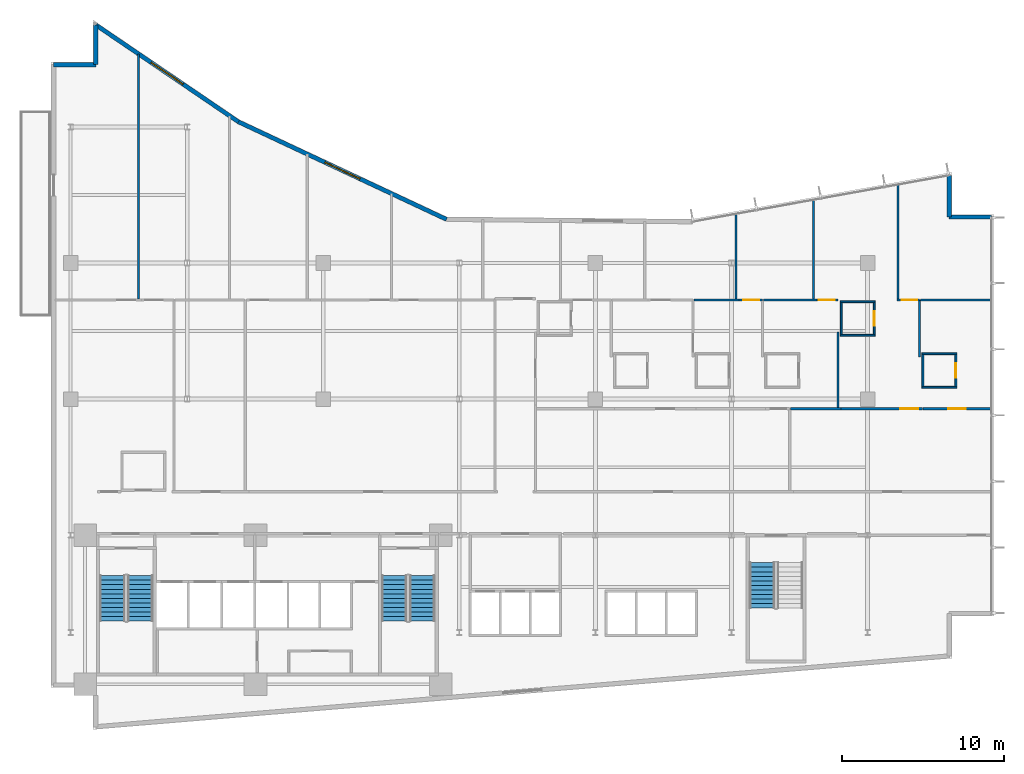
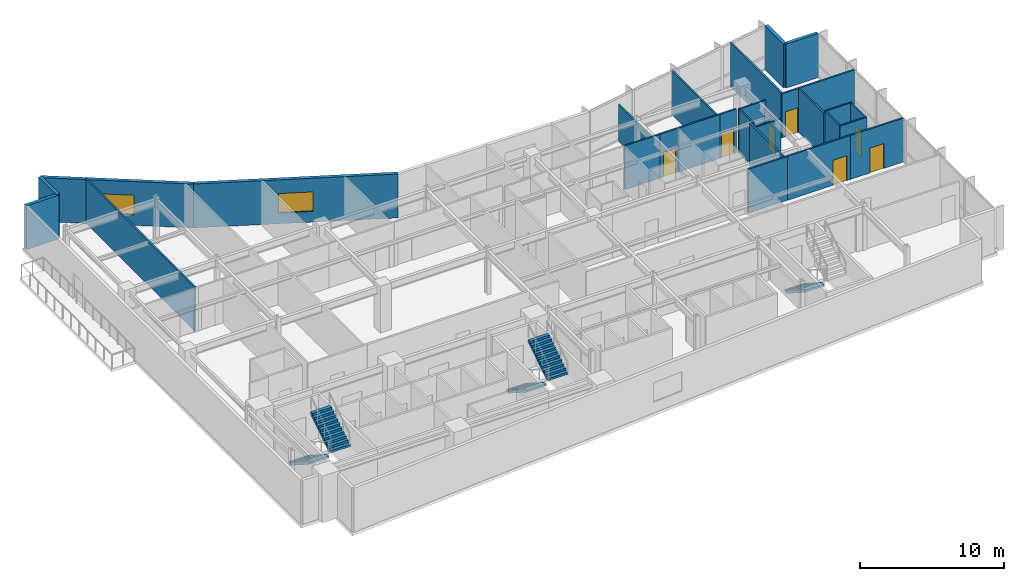
# One storey, part 16 of 22: 29 walls, 7 doors, 5 stair flights, 2 windows, 9 openings, 3 elements without a shape of their own.
"""IFC4 building model written with IfcOpenShell, lengths in metres."""

import ifcopenshell
import ifcopenshell.guid

model = None  # the IFC model being written
_history = None  # IfcOwnerHistory: only IFC2X3 demands one
_inside = {}  # id of a spatial element -> (the spatial element, [elements in it])
_under = {}  # id of a project, library or spatial element -> (it, [spatial elements below it])
_declared = {}  # id of a project -> (the project, [libraries it declares])
_typed = {}  # id of a type object -> (the type object, [elements of that type])
_made_of = {}  # id of a material, layer set ... -> (it, [elements and type objects made of it])


def new_model(schema):
    """Start an empty IFC model of exactly this schema.

    Asked for "IFC4X3", IfcOpenShell would pick the latest addendum, in which some entities
    have other attributes; the version numbers below select the first issue.
    IFC2X3 requires an IfcOwnerHistory on every rooted entity: one is made here for all.
    """
    global model, _history
    if schema == "IFC4X3":
        model = ifcopenshell.file(schema_version=(4, 3, 0, 0))
    else:
        model = ifcopenshell.file(schema=schema)
    _inside.clear()
    _under.clear()
    _declared.clear()
    _typed.clear()
    _made_of.clear()
    _history = None
    if model.schema == "IFC2X3":
        org = make("IfcOrganization", Name="unknown")
        user = make(
            "IfcPersonAndOrganization",
            ThePerson=make("IfcPerson", FamilyName="unknown"),
            TheOrganization=org,
        )
        app = make(
            "IfcApplication",
            ApplicationDeveloper=org,
            Version="unknown",
            ApplicationFullName="unknown",
            ApplicationIdentifier="unknown",
        )
        _history = make(
            "IfcOwnerHistory",
            OwningUser=user,
            OwningApplication=app,
            ChangeAction="ADDED",
            CreationDate=0,
        )
    return model


def make(cls, **values):
    """One entity of the class cls with the attributes given. An attribute that is None is left unset."""
    return model.create_entity(
        cls, **{name: value for name, value in values.items() if value is not None}
    )


def rooted(cls, **values):
    """An entity with a GlobalId (a new one), such as an element, a storey or a relation."""
    return make(cls, GlobalId=ifcopenshell.guid.new(), OwnerHistory=_history, **values)


def si_unit(unit_type, name, prefix=None):
    """IfcSIUnit, for example si_unit("LENGTHUNIT", "METRE", prefix="MILLI")."""
    return make("IfcSIUnit", UnitType=unit_type, Prefix=prefix, Name=name)


def assignment(units):
    """IfcUnitAssignment: the units of a project."""
    return None if units is None else make("IfcUnitAssignment", Units=units)


def point(xyz):
    """IfcCartesianPoint."""
    return None if xyz is None else make("IfcCartesianPoint", Coordinates=xyz)


def direction(xyz):
    """IfcDirection."""
    return None if xyz is None else make("IfcDirection", DirectionRatios=xyz)


def frame(location, z_axis=None, x_axis=None):
    """IfcAxis2Placement3D, a coordinate frame: its origin and axes. An axis left out is left unset."""
    return make(
        "IfcAxis2Placement3D",
        Location=point(location),
        Axis=direction(z_axis),
        RefDirection=direction(x_axis),
    )


def frame_2d(location, x_axis=None):
    """IfcAxis2Placement2D, a coordinate frame in the plane: its origin and x axis."""
    return make(
        "IfcAxis2Placement2D", Location=point(location), RefDirection=direction(x_axis)
    )


def origin():
    """The frame at (0, 0, 0) with its axes left unset."""
    return frame((0.0, 0.0, 0.0))


def place(relative_to, where):
    """IfcLocalPlacement: puts the frame where relative to a parent placement (None: the world)."""
    return make(
        "IfcLocalPlacement", PlacementRelTo=relative_to, RelativePlacement=where
    )


def context(
    kind, dimensions, precision=None, world=None, true_north=None, identifier=None
):
    """IfcGeometricRepresentationContext, for example the 3D "Model" context."""
    return make(
        "IfcGeometricRepresentationContext",
        ContextIdentifier=identifier,
        ContextType=kind,
        CoordinateSpaceDimension=dimensions,
        Precision=precision,
        WorldCoordinateSystem=world,
        TrueNorth=true_north,
    )


def subcontext(parent, identifier, kind, view, scale=None):
    """IfcGeometricRepresentationSubContext, for example "Body" below "Model"."""
    return make(
        "IfcGeometricRepresentationSubContext",
        ContextIdentifier=identifier,
        ContextType=kind,
        ParentContext=parent,
        TargetScale=scale,
        TargetView=view,
    )


def project(units=None, contexts=None):
    """IfcProject with its units and contexts."""
    return rooted(
        "IfcProject",
        Name="project",
        RepresentationContexts=contexts,
        UnitsInContext=assignment(units),
    )


def spatial(cls, under=None, at=None, **own):
    """A site, building, storey or space (cls), placed at a placement, below another one or the project."""
    s = rooted(cls, ObjectPlacement=at, **own)
    if under is not None:
        _under.setdefault(under.id(), (under, []))[1].append(s)
    return s


def polyline(points):
    """IfcPolyline through the points."""
    return make("IfcPolyline", Points=[point(p) for p in points])


def profile(cls, at=None, kind="AREA", **sizes):
    """A parametric profile (cls). Its sizes go by their IFC names, for example OverallWidth=200.0."""
    return make(cls, ProfileType=kind, Position=at, **sizes)


def rectangle(**sizes):
    """IfcRectangleProfileDef."""
    return profile("IfcRectangleProfileDef", **sizes)


def outline(outer, holes=None, kind="AREA"):
    """IfcArbitraryClosedProfileDef: a profile drawn as a closed curve; with holes, ...WithVoids."""
    if holes is None:
        return make("IfcArbitraryClosedProfileDef", ProfileType=kind, OuterCurve=outer)
    return make(
        "IfcArbitraryProfileDefWithVoids",
        ProfileType=kind,
        OuterCurve=outer,
        InnerCurves=holes,
    )


def extrude(swept, where, along, depth):
    """IfcExtrudedAreaSolid: the profile swept, set in the frame where, extruded along a direction by depth."""
    return make(
        "IfcExtrudedAreaSolid",
        SweptArea=swept,
        Position=where,
        ExtrudedDirection=direction(along),
        Depth=depth,
    )


def shape(context_of_items, identifier, shape_type, items):
    """IfcShapeRepresentation: the items that make up one representation, for example the "Body"."""
    return make(
        "IfcShapeRepresentation",
        ContextOfItems=context_of_items,
        RepresentationIdentifier=identifier,
        RepresentationType=shape_type,
        Items=items,
    )


def material(Name=None, Category=None):
    """IfcMaterial."""
    return make("IfcMaterial", Name=Name, Category=Category)


def layer(
    of_material, thickness, ventilated=None, Name=None, Category=None, Priority=None
):
    """IfcMaterialLayer: one layer of a wall or slab, of a material (None: an air gap)."""
    return make(
        "IfcMaterialLayer",
        Material=of_material,
        LayerThickness=thickness,
        IsVentilated=ventilated,
        Name=Name,
        Category=Category,
        Priority=Priority,
    )


def layer_set(layers, Name=None):
    """IfcMaterialLayerSet."""
    return make("IfcMaterialLayerSet", MaterialLayers=layers, LayerSetName=Name)


def made_of(thing, what):
    """Note that an element or type object is made of a material, layer set ...; save() writes the relation."""
    if what is not None:
        _made_of.setdefault(what.id(), (what, []))[1].append(thing)
    return thing


def type_object(cls, material=None, **own):
    """A type object (cls), such as IfcWallType, which elements share."""
    return made_of(rooted(cls, **own), material)


def element(
    cls,
    number,
    at=None,
    inside=None,
    cuts=None,
    type_object=None,
    material=None,
    context=None,
    identifier="Body",
    shape_type=None,
    held_by="IfcProductDefinitionShape",
    body=None,
    shapes=None,
    **own,
):
    """One element of the class cls, such as IfcWall. Its Tag is "e" and its number.

    at: its placement. inside: the storey or other place that contains it. cuts: it is an
    opening in that element (IfcRelVoidsElement). A single representation is given by context,
    identifier, shape_type and body (its items); several are given by shapes. held_by: the class
    of the entity that holds the representations. save() writes the other relations.
    """
    e = rooted(cls, Tag="e%d" % number, ObjectPlacement=at, **own)
    if body is not None:
        shapes = [shape(context, identifier, shape_type, body)]
    if shapes is not None:
        e.Representation = make(held_by, Representations=shapes)
    if inside is not None:
        _inside.setdefault(inside.id(), (inside, []))[1].append(e)
    if cuts is not None:
        rooted(
            "IfcRelVoidsElement", RelatingBuildingElement=cuts, RelatedOpeningElement=e
        )
    if type_object is not None:
        _typed.setdefault(type_object.id(), (type_object, []))[1].append(e)
    return made_of(e, material)


def fill(opening, filler):
    """IfcRelFillsElement: the door or window that sits in an opening."""
    return rooted(
        "IfcRelFillsElement",
        RelatingOpeningElement=opening,
        RelatedBuildingElement=filler,
    )


def aggregate(whole, parts):
    """IfcRelAggregates: a whole, such as a stair, and the parts it consists of."""
    return rooted("IfcRelAggregates", RelatingObject=whole, RelatedObjects=parts)


def save(model, path):
    """Write the relations noted so far, then the file.

    IfcRelAggregates (storeys below a building ...), IfcRelContainedInSpatialStructure (elements
    in a storey), IfcRelDefinesByType, IfcRelAssociatesMaterial and IfcRelDeclares: one each for
    every whole, place, type object, material and project.
    """
    for whole, parts in _under.values():
        aggregate(whole, parts)
    for where, things in _inside.values():
        rooted(
            "IfcRelContainedInSpatialStructure",
            RelatedElements=things,
            RelatingStructure=where,
        )
    for kind, things in _typed.values():
        rooted("IfcRelDefinesByType", RelatedObjects=things, RelatingType=kind)
    for what, things in _made_of.values():
        rooted("IfcRelAssociatesMaterial", RelatedObjects=things, RelatingMaterial=what)
    for by, libraries in _declared.values():
        rooted("IfcRelDeclares", RelatingContext=by, RelatedDefinitions=libraries)
    model.write(path)


model = new_model("IFC4")

# Units and contexts
model_context = context("Model", 3, precision=1e-05, world=origin(), true_north=direction((0.0, 1.0)))
body_context = subcontext(model_context, "Body", "Model", "MODEL_VIEW")
ifc_project = project(units=[si_unit("LENGTHUNIT", "METRE"), si_unit("AREAUNIT", "SQUARE_METRE"), si_unit("VOLUMEUNIT", "CUBIC_METRE"), si_unit("PLANEANGLEUNIT", "RADIAN"), si_unit("MASSUNIT", "GRAM", prefix="KILO")], contexts=[model_context])

# Site, building, storey
site_placement = place(None, origin())
site = spatial("IfcSite", under=ifc_project, at=site_placement, CompositionType="ELEMENT")
building_placement = place(site_placement, origin())
building = spatial("IfcBuilding", under=site, at=building_placement, Name="Varnakote Quay Hospital", CompositionType="ELEMENT")
storey_placement = place(building_placement, frame((0.0, 0.0, 62.0)))
storey = spatial("IfcBuildingStorey", under=building, at=storey_placement, Name="L15", CompositionType="ELEMENT", Elevation=62.0)

# Walls
ifc_material_1 = material(Name="Moisture-resistant bathroom partition", Category="gypsum")
ifc_layer_1 = layer(ifc_material_1, 0.114990234375)
ifc_layer_set_1 = layer_set([ifc_layer_1], Name="Moisture-resistant bathroom partition")
wall_type_1 = type_object("IfcWallType", Name="WL-ENS-115", PredefinedType="PARTITIONING", material=ifc_layer_set_1)
wall_1_placement = place(storey_placement, frame((48.715087890625, 24.342529296875, 0.0), z_axis=(0.0, 0.0, 1.0), x_axis=(1.0, 0.0, 0.0)))
element("IfcWall", 1, at=wall_1_placement, inside=storey, type_object=wall_type_1, Name="L15 Inpatient En-Suite Bathroom 05 S Wall", PredefinedType="PARTITIONING", context=body_context, shape_type="SweptSolid", body=[
    extrude(rectangle(XDim=2.14990234375, YDim=0.114990234375, at=frame_2d((1.074951171875, 0.0))), origin(), (0.0, 0.0, 1.0), 3.381103515625),
])
wall_2_placement = place(storey_placement, frame((48.715087890625, 26.407470703125, 0.0), z_axis=(0.0, 0.0, 1.0), x_axis=(1.0, 0.0, 0.0)))
element("IfcWall", 2, at=wall_2_placement, inside=storey, type_object=wall_type_1, Name="L15 Inpatient En-Suite Bathroom 05 N Wall", PredefinedType="PARTITIONING", context=body_context, shape_type="SweptSolid", body=[
    extrude(rectangle(XDim=2.14990234375, YDim=0.114990234375, at=frame_2d((1.074951171875, 0.0))), origin(), (0.0, 0.0, 1.0), 3.7099609375),
])
wall_3_placement = place(storey_placement, frame((48.7724609375, 24.39990234375, 0.0), z_axis=(0.0, 0.0, 1.0), x_axis=(0.0, 1.0, 0.0)))
element("IfcWall", 3, at=wall_3_placement, inside=storey, type_object=wall_type_1, Name="L15 Inpatient En-Suite Bathroom 05 W Wall", PredefinedType="PARTITIONING", context=body_context, shape_type="SweptSolid", body=[
    extrude(rectangle(XDim=1.9501953125, YDim=0.114990234375, at=frame_2d((0.97509765625, 0.0))), origin(), (0.0, 0.0, 1.0), 3.7099609375),
])

# Wall, opening, door
wall_4_placement = place(storey_placement, frame((50.8076171875, 24.39990234375, 0.0), z_axis=(0.0, 0.0, 1.0), x_axis=(0.0, 1.0, 0.0)))
wall_4 = element("IfcWall", 4, at=wall_4_placement, inside=storey, type_object=wall_type_1, Name="L15 Inpatient En-Suite Bathroom 05 E Wall", PredefinedType="PARTITIONING", context=body_context, shape_type="SweptSolid", body=[
    extrude(rectangle(XDim=1.9501953125, YDim=0.114990234375, at=frame_2d((0.97509765625, 0.0))), origin(), (0.0, 0.0, 1.0), 3.072998046875),
])
opening_1_placement = place(wall_4_placement, frame((0.514892578125, 0.0, 0.0)))
opening_1 = element("IfcOpeningElement", 5, at=opening_1_placement, cuts=wall_4, Name="Opening D-L15-ENS05", PredefinedType="OPENING", context=body_context, shape_type="SweptSolid", body=[
    extrude(rectangle(XDim=0.919921875, YDim=2.10009765625, at=frame_2d((0.4599609375, 1.050048828125))), frame((0.0, 0.0673828125, 0.0), z_axis=(0.0, -1.0, 0.0), x_axis=(1.0, 0.0, 0.0)), (0.0, 0.0, 1.0), 0.135009765625),
])
ifc_material_2 = material(Name="Moisture-sealed en-suite bathroom door")
door_type_1 = type_object("IfcDoorType", Name="DR-ENS-920x2100", OperationType="NOTDEFINED", PredefinedType="DOOR", material=ifc_material_2)
door_1_placement = place(opening_1_placement, origin())
door_1 = element("IfcDoor", 6, at=door_1_placement, inside=storey, type_object=door_type_1, Name="L15 Inpatient En-Suite Bathroom 05 Door", OperationType="SINGLE_SWING_LEFT", OverallHeight=2.10009765625, OverallWidth=0.919921875, PredefinedType="DOOR", context=body_context, shape_type="SweptSolid", body=[
    extrude(rectangle(XDim=0.919921875, YDim=2.10009765625, at=frame_2d((0.4599609375, 1.050048828125))), frame((0.0, 0.02490234375, 0.0), z_axis=(0.0, -1.0, 0.0), x_axis=(1.0, 0.0, 0.0)), (0.0, 0.0, 1.0), 0.050048828125),
])
fill(opening_1, door_1)

# Walls
for number, where, z_axis, x_axis, name in (
    (7, (53.7548828125, 21.132568359375, 0.0), (0.0, 0.0, 1.0), (1.0, 0.0, 0.0), "L15 Inpatient En-Suite Bathroom 06 S Wall"),
    (8, (53.7548828125, 23.197509765625, 0.0), (0.0, 0.0, 1.0), (1.0, 0.0, 0.0), "L15 Inpatient En-Suite Bathroom 06 N Wall"),
):
    element("IfcWall", number, at=place(storey_placement, frame(where, z_axis=z_axis, x_axis=x_axis)), inside=storey, type_object=wall_type_1, Name=name, PredefinedType="PARTITIONING", context=body_context, shape_type="SweptSolid", body=[
        extrude(rectangle(XDim=2.150146484375, YDim=0.114990234375, at=frame_2d((1.0751953125, 0.0))), origin(), (0.0, 0.0, 1.0), 3.7099609375),
    ])
wall_5_placement = place(storey_placement, frame((53.8125, 21.18994140625, 0.0), z_axis=(0.0, 0.0, 1.0), x_axis=(0.0, 1.0, 0.0)))
element("IfcWall", 9, at=wall_5_placement, inside=storey, type_object=wall_type_1, Name="L15 Inpatient En-Suite Bathroom 06 W Wall", PredefinedType="PARTITIONING", context=body_context, shape_type="SweptSolid", body=[
    extrude(rectangle(XDim=1.949951171875, YDim=0.114990234375, at=frame_2d((0.97509765625, 0.0))), origin(), (0.0, 0.0, 1.0), 3.7099609375),
])

# Wall, opening, door
wall_6_placement = place(storey_placement, frame((55.847412109375, 21.18994140625, 0.0), z_axis=(0.0, 0.0, 1.0), x_axis=(0.0, 1.0, 0.0)))
wall_6 = element("IfcWall", 10, at=wall_6_placement, inside=storey, type_object=wall_type_1, Name="L15 Inpatient En-Suite Bathroom 06 E Wall", PredefinedType="PARTITIONING", context=body_context, shape_type="SweptSolid", body=[
    extrude(rectangle(XDim=1.949951171875, YDim=0.114990234375, at=frame_2d((0.97509765625, 0.0))), origin(), (0.0, 0.0, 1.0), 3.7099609375),
])
opening_2_placement = place(wall_6_placement, frame((0.514892578125, 0.0, 0.0)))
opening_2 = element("IfcOpeningElement", 11, at=opening_2_placement, cuts=wall_6, Name="Opening D-L15-ENS06", PredefinedType="OPENING", context=body_context, shape_type="SweptSolid", body=[
    extrude(rectangle(XDim=0.919921875, YDim=2.10009765625, at=frame_2d((0.4599609375, 1.050048828125))), frame((0.0, 0.0673828125, 0.0), z_axis=(0.0, -1.0, 0.0), x_axis=(1.0, 0.0, 0.0)), (0.0, 0.0, 1.0), 0.135009765625),
])
door_2_placement = place(opening_2_placement, origin())
door_2 = element("IfcDoor", 12, at=door_2_placement, inside=storey, type_object=door_type_1, Name="L15 Inpatient En-Suite Bathroom 06 Door", OperationType="SINGLE_SWING_RIGHT", OverallHeight=2.10009765625, OverallWidth=0.919921875, PredefinedType="DOOR", context=body_context, shape_type="SweptSolid", body=[
    extrude(rectangle(XDim=0.919921875, YDim=2.10009765625, at=frame_2d((0.4599609375, 1.050048828125))), frame((0.0, 0.02490234375, 0.0), z_axis=(0.0, -1.0, 0.0), x_axis=(1.0, 0.0, 0.0)), (0.0, 0.0, 1.0), 0.050048828125),
])
fill(opening_2, door_2)

# Walls
ifc_material_3 = material(Name="Precast concrete N50 (f'c 50 MPa)", Category="concrete")
ifc_layer_2 = layer(ifc_material_3, 0.260009765625)
ifc_layer_set_2 = layer_set([ifc_layer_2], Name="Precast concrete N50 (f'c 50 MPa)")
wall_type_2 = type_object("IfcWallType", Name="WL-EXT-BRICK-260", PredefinedType="STANDARD", material=ifc_layer_set_2)
wall_7_placement = place(storey_placement, frame((58.0400390625, 31.639892578125, 0.0), z_axis=(0.0, 0.0, 1.0), x_axis=(-1.0, 0.0, 0.0)))
element("IfcWall", 13, at=wall_7_placement, inside=storey, type_object=wall_type_2, Name="L15 Brick-Faced Precast Exterior Wall", PredefinedType="STANDARD", context=body_context, shape_type="SweptSolid", body=[
    extrude(rectangle(XDim=2.60009765625, YDim=0.260009765625, at=frame_2d((1.300048828125, 0.0))), origin(), (0.0, 0.0, 1.0), 3.7099609375),
])
wall_8_placement = place(storey_placement, frame((55.43994140625, 31.639892578125, 0.0), z_axis=(0.0, 0.0, 1.0), x_axis=(0.0, 1.0, 0.0)))
element("IfcWall", 14, at=wall_8_placement, inside=storey, type_object=wall_type_2, Name="L15 Brick-Faced Precast Exterior Wall", PredefinedType="STANDARD", context=body_context, shape_type="SweptSolid", body=[
    extrude(rectangle(XDim=2.568603515625, YDim=0.260009765625, at=frame_2d((1.2841796875, 0.0))), origin(), (0.0, 0.0, 1.0), 3.7099609375),
])

# Wall, opening, window
wall_9_placement = place(storey_placement, frame((24.40771484375, 31.4921875, 0.0), z_axis=(0.0, 0.0, 1.0), x_axis=(-0.905396522918, 0.424566998585, 0.0)))
wall_9 = element("IfcWall", 15, at=wall_9_placement, inside=storey, type_object=wall_type_2, Name="L15 Brick-Faced Precast Exterior Wall", PredefinedType="STANDARD", context=body_context, shape_type="SweptSolid", body=[
    extrude(rectangle(XDim=14.189453125, YDim=0.260009765625, at=frame_2d((7.0947265625, 0.0))), origin(), (0.0, 0.0, 1.0), 3.7099609375),
])
opening_3_placement = place(wall_9_placement, frame((5.894775390625, 0.0, 0.89990234375)))
opening_3 = element("IfcOpeningElement", 16, at=opening_3_placement, cuts=wall_9, Name="Opening WN-0076", PredefinedType="OPENING", context=body_context, shape_type="SweptSolid", body=[
    extrude(rectangle(XDim=2.39990234375, YDim=1.64990234375, at=frame_2d((1.199951171875, 0.824951171875))), frame((0.0, 0.139892578125, 0.0), z_axis=(0.0, -1.0, 0.0), x_axis=(1.0, 0.0, 0.0)), (0.0, 0.0, 1.0), 0.280029296875),
])
ifc_material_4 = material(Name="Double-glazed low-E solar glass", Category="glass")
window_type = type_object("IfcWindowType", Name="WIN-CLIN-2400x1650", PartitioningType="SINGLE_PANEL", PredefinedType="WINDOW", material=ifc_material_4)
window_1_placement = place(opening_3_placement, origin())
window_1 = element("IfcWindow", 17, at=window_1_placement, inside=storey, type_object=window_type, Name="L15 Solar-Control Clinical Window", OverallHeight=1.64990234375, OverallWidth=2.39990234375, PartitioningType="SINGLE_PANEL", PredefinedType="WINDOW", context=body_context, shape_type="SweptSolid", body=[
    extrude(rectangle(XDim=2.39990234375, YDim=1.64990234375, at=frame_2d((1.199951171875, 0.824951171875))), frame((0.0, 0.030029296875, 0.0), z_axis=(0.0, -1.0, 0.0), x_axis=(1.0, 0.0, 0.0)), (0.0, 0.0, 1.0), 0.06005859375),
])
fill(opening_3, window_1)

wall_10_placement = place(storey_placement, frame((11.560546875, 37.5166015625, 0.0), z_axis=(0.0, 0.0, 1.0), x_axis=(-0.827064743936, 0.562106670782, 0.0)))
wall_10 = element("IfcWall", 18, at=wall_10_placement, inside=storey, type_object=wall_type_2, Name="L15 Brick-Faced Precast Exterior Wall", PredefinedType="STANDARD", context=body_context, shape_type="SweptSolid", body=[
    extrude(rectangle(XDim=10.640625, YDim=0.260009765625, at=frame_2d((5.3203125, 0.0))), origin(), (0.0, 0.0, 1.0), 3.7099609375),
])
opening_4_placement = place(wall_10_placement, frame((4.120361328125, 0.0, 0.89990234375)))
opening_4 = element("IfcOpeningElement", 19, at=opening_4_placement, cuts=wall_10, Name="Opening WN-0077", PredefinedType="OPENING", context=body_context, shape_type="SweptSolid", body=[
    extrude(rectangle(XDim=2.39990234375, YDim=1.64990234375, at=frame_2d((1.199951171875, 0.824951171875))), frame((0.0, 0.139892578125, 0.0), z_axis=(0.0, -1.0, 0.0), x_axis=(1.0, 0.0, 0.0)), (0.0, 0.0, 1.0), 0.280029296875),
])
window_2_placement = place(opening_4_placement, origin())
window_2 = element("IfcWindow", 20, at=window_2_placement, inside=storey, type_object=window_type, Name="L15 Solar-Control Clinical Window", OverallHeight=1.64990234375, OverallWidth=2.39990234375, PartitioningType="SINGLE_PANEL", PredefinedType="WINDOW", context=body_context, shape_type="SweptSolid", body=[
    extrude(rectangle(XDim=2.39990234375, YDim=1.64990234375, at=frame_2d((1.199951171875, 0.824951171875))), frame((0.0, 0.030029296875, 0.0), z_axis=(0.0, -1.0, 0.0), x_axis=(1.0, 0.0, 0.0)), (0.0, 0.0, 1.0), 0.06005859375),
])
fill(opening_4, window_2)

# Walls
wall_11_placement = place(storey_placement, frame((2.760009765625, 43.497802734375, 0.0), z_axis=(0.0, 0.0, 1.0), x_axis=(0.0, -1.0, 0.0)))
element("IfcWall", 21, at=wall_11_placement, inside=storey, type_object=wall_type_2, Name="L15 Brick-Faced Precast Exterior Wall", PredefinedType="STANDARD", context=body_context, shape_type="SweptSolid", body=[
    extrude(rectangle(XDim=2.457763671875, YDim=0.260009765625, at=frame_2d((1.22900390625, 0.0))), origin(), (0.0, 0.0, 1.0), 3.7099609375),
])
wall_12_placement = place(storey_placement, frame((2.760009765625, 41.0400390625, 0.0), z_axis=(0.0, 0.0, 1.0), x_axis=(-1.0, 0.0, 0.0)))
element("IfcWall", 22, at=wall_12_placement, inside=storey, type_object=wall_type_2, Name="L15 Brick-Faced Precast Exterior Wall", PredefinedType="STANDARD", context=body_context, shape_type="SweptSolid", body=[
    extrude(rectangle(XDim=2.60009765625, YDim=0.260009765625, at=frame_2d((1.300048828125, 0.0))), origin(), (0.0, 0.0, 1.0), 3.7099609375),
])
ifc_material_5 = material(Name="Smoke-proof clinical partition", Category="gypsum")
ifc_layer_3 = layer(ifc_material_5, 0.135009765625)
ifc_layer_set_3 = layer_set([ifc_layer_3], Name="Smoke-proof clinical partition")
wall_type_3 = type_object("IfcWallType", Name="WL-SMOKE-135", PredefinedType="PARTITIONING", material=ifc_layer_set_3)
wall_13_placement = place(storey_placement, frame((48.7646484375, 19.800048828125, 0.0), z_axis=(0.0, 0.0, 1.0), x_axis=(-1.0, 0.0, 0.0)))
element("IfcWall", 23, at=wall_13_placement, inside=storey, type_object=wall_type_3, Name="L15 Clinical Interior Partition", PredefinedType="PARTITIONING", context=body_context, shape_type="SweptSolid", body=[
    extrude(rectangle(XDim=3.1171875, YDim=0.135009765625, at=frame_2d((1.55859375, 0.0))), origin(), (0.0, 0.0, 1.0), 3.7099609375),
])

# Wall, opening, door
wall_14_placement = place(storey_placement, frame((53.8046875, 19.800048828125, 0.0), z_axis=(0.0, 0.0, 1.0), x_axis=(-1.0, 0.0, 0.0)))
wall_14 = element("IfcWall", 24, at=wall_14_placement, inside=storey, type_object=wall_type_3, Name="L15 Clinical Interior Partition", PredefinedType="PARTITIONING", context=body_context, shape_type="SweptSolid", body=[
    extrude(rectangle(XDim=5.0380859375, YDim=0.135009765625, at=frame_2d((2.51904296875, 0.0))), origin(), (0.0, 0.0, 1.0), 3.7099609375),
])
opening_5_placement = place(wall_14_placement, frame((0.28857421875, 0.0, 0.0)))
opening_5 = element("IfcOpeningElement", 25, at=opening_5_placement, cuts=wall_14, Name="Opening D-L15-BR05", PredefinedType="OPENING", context=body_context, shape_type="SweptSolid", body=[
    extrude(rectangle(XDim=1.10009765625, YDim=2.10009765625, at=frame_2d((0.550048828125, 1.050048828125))), frame((0.0, 0.077392578125, 0.0), z_axis=(0.0, -1.0, 0.0), x_axis=(1.0, 0.0, 0.0)), (0.0, 0.0, 1.0), 0.155029296875),
])
ifc_material_6 = material(Name="Acoustic timber clinical consult door", Category="wood")
door_type_2 = type_object("IfcDoorType", Name="DR-CLIN-FD30S-1100x2100", OperationType="NOTDEFINED", PredefinedType="DOOR", material=ifc_material_6)
door_3_placement = place(opening_5_placement, origin())
door_3 = element("IfcDoor", 26, at=door_3_placement, inside=storey, type_object=door_type_2, Name="L15 Inpatient Clinical Treatment Room 05 Door", OperationType="SINGLE_SWING_RIGHT", OverallHeight=2.10009765625, OverallWidth=1.10009765625, PredefinedType="DOOR", context=body_context, shape_type="SweptSolid", body=[
    extrude(rectangle(XDim=1.10009765625, YDim=2.10009765625, at=frame_2d((0.550048828125, 1.050048828125))), frame((0.0, 0.02490234375, 0.0), z_axis=(0.0, -1.0, 0.0), x_axis=(1.0, 0.0, 0.0)), (0.0, 0.0, 1.0), 0.050048828125),
])
fill(opening_5, door_3)

wall_15_placement = place(storey_placement, frame((58.0400390625, 19.800048828125, 0.0), z_axis=(0.0, 0.0, 1.0), x_axis=(-1.0, 0.0, 0.0)))
wall_15 = element("IfcWall", 27, at=wall_15_placement, inside=storey, type_object=wall_type_3, Name="L15 Clinical Interior Partition", PredefinedType="PARTITIONING", context=body_context, shape_type="SweptSolid", body=[
    extrude(rectangle(XDim=4.2333984375, YDim=0.135009765625, at=frame_2d((2.11669921875, 0.0))), origin(), (0.0, 0.0, 1.0), 3.7099609375),
])
opening_6_placement = place(wall_15_placement, frame((1.566650390625, 0.0, 0.0)))
opening_6 = element("IfcOpeningElement", 28, at=opening_6_placement, cuts=wall_15, Name="Opening D-L15-BR06", PredefinedType="OPENING", context=body_context, shape_type="SweptSolid", body=[
    extrude(rectangle(XDim=1.10009765625, YDim=2.10009765625, at=frame_2d((0.550048828125, 1.050048828125))), frame((0.0, 0.077392578125, 0.0), z_axis=(0.0, -1.0, 0.0), x_axis=(1.0, 0.0, 0.0)), (0.0, 0.0, 1.0), 0.155029296875),
])
door_4_placement = place(opening_6_placement, origin())
door_4 = element("IfcDoor", 29, at=door_4_placement, inside=storey, type_object=door_type_2, Name="L15 Inpatient Clinical Treatment Room 06 Door", OperationType="SINGLE_SWING_LEFT", OverallHeight=2.10009765625, OverallWidth=1.10009765625, PredefinedType="DOOR", context=body_context, shape_type="SweptSolid", body=[
    extrude(rectangle(XDim=1.10009765625, YDim=2.10009765625, at=frame_2d((0.550048828125, 1.050048828125))), frame((0.0, 0.02490234375, 0.0), z_axis=(0.0, -1.0, 0.0), x_axis=(1.0, 0.0, 0.0)), (0.0, 0.0, 1.0), 0.050048828125),
])
fill(opening_6, door_4)

# Wall
wall_16_placement = place(storey_placement, frame((42.474609375, 26.52001953125, 0.0), z_axis=(0.0, 0.0, 1.0), x_axis=(-1.0, 0.0, 0.0)))
element("IfcWall", 30, at=wall_16_placement, inside=storey, type_object=wall_type_3, Name="L15 Clinical Interior Partition", PredefinedType="PARTITIONING", context=body_context, shape_type="SweptSolid", body=[
    extrude(rectangle(XDim=2.797119140625, YDim=0.135009765625, at=frame_2d((1.3984375, 0.0))), origin(), (0.0, 0.0, 1.0), 3.7099609375),
])

# Wall, opening, door
wall_17_placement = place(storey_placement, frame((43.909912109375, 26.52001953125, 0.0), z_axis=(0.0, 0.0, 1.0), x_axis=(-1.0, 0.0, 0.0)))
wall_17 = element("IfcWall", 31, at=wall_17_placement, inside=storey, type_object=wall_type_3, Name="L15 Clinical Interior Partition", PredefinedType="PARTITIONING", context=body_context, shape_type="SweptSolid", body=[
    extrude(rectangle(XDim=1.433349609375, YDim=0.135009765625, at=frame_2d((0.716796875, 0.0))), origin(), (0.0, 0.0, 1.0), 3.7099609375),
])
opening_7_placement = place(wall_17_placement, frame((0.201416015625, 0.0, 0.0)))
opening_7 = element("IfcOpeningElement", 32, at=opening_7_placement, cuts=wall_17, Name="Opening D-L15-MD12", PredefinedType="OPENING", context=body_context, shape_type="SweptSolid", body=[
    extrude(rectangle(XDim=0.97998046875, YDim=2.10009765625, at=frame_2d((0.489990234375, 1.050048828125))), frame((0.0, 0.077392578125, 0.0), z_axis=(0.0, -1.0, 0.0), x_axis=(1.0, 0.0, 0.0)), (0.0, 0.0, 1.0), 0.155029296875),
])
ifc_material_7 = material(Name="Accessible sanitary compartment door")
door_type_3 = type_object("IfcDoorType", Name="DR-WC-980x2100", OperationType="NOTDEFINED", PredefinedType="DOOR", material=ifc_material_7)
door_5_placement = place(opening_7_placement, origin())
door_5 = element("IfcDoor", 33, at=door_5_placement, inside=storey, type_object=door_type_3, Name="L15 Family Consultation Meeting Room Door", OperationType="SINGLE_SWING_LEFT", OverallHeight=2.10009765625, OverallWidth=0.97998046875, PredefinedType="DOOR", context=body_context, shape_type="SweptSolid", body=[
    extrude(rectangle(XDim=0.97998046875, YDim=2.10009765625, at=frame_2d((0.489990234375, 1.050048828125))), frame((0.0, 0.02490234375, 0.0), z_axis=(0.0, -1.0, 0.0), x_axis=(1.0, 0.0, 0.0)), (0.0, 0.0, 1.0), 0.050048828125),
])
fill(opening_7, door_5)

# Walls
wall_18_placement = place(storey_placement, frame((48.570068359375, 19.857421875, 0.0), z_axis=(0.0, 0.0, 1.0), x_axis=(0.0, 1.0, 0.0)))
element("IfcWall", 34, at=wall_18_placement, inside=storey, type_object=wall_type_3, Name="L15 Clinical Interior Partition", PredefinedType="PARTITIONING", context=body_context, shape_type="SweptSolid", body=[
    extrude(rectangle(XDim=4.670166015625, YDim=0.135009765625, at=frame_2d((2.3349609375, 0.0))), origin(), (0.0, 0.0, 1.0), 3.7099609375),
])
wall_19_placement = place(storey_placement, frame((47.2646484375, 26.52001953125, 0.0), z_axis=(0.0, 0.0, 1.0), x_axis=(-1.0, 0.0, 0.0)))
element("IfcWall", 35, at=wall_19_placement, inside=storey, type_object=wall_type_3, Name="L15 Clinical Interior Partition", PredefinedType="PARTITIONING", context=body_context, shape_type="SweptSolid", body=[
    extrude(rectangle(XDim=3.297119140625, YDim=0.135009765625, at=frame_2d((1.6484375, 0.0))), origin(), (0.0, 0.0, 1.0), 3.7099609375),
])

# Wall, opening, door
wall_20_placement = place(storey_placement, frame((48.570068359375, 26.52001953125, 0.0), z_axis=(0.0, 0.0, 1.0), x_axis=(-1.0, 0.0, 0.0)))
wall_20 = element("IfcWall", 36, at=wall_20_placement, inside=storey, type_object=wall_type_3, Name="L15 Clinical Interior Partition", PredefinedType="PARTITIONING", context=body_context, shape_type="SweptSolid", body=[
    extrude(rectangle(XDim=1.303466796875, YDim=0.135009765625, at=frame_2d((0.65185546875, 0.0))), origin(), (0.0, 0.0, 1.0), 3.7099609375),
])
opening_8_placement = place(wall_20_placement, frame((0.194091796875, 0.0, 0.0)))
opening_8 = element("IfcOpeningElement", 37, at=opening_8_placement, cuts=wall_20, Name="Opening D-L15-MD13", PredefinedType="OPENING", context=body_context, shape_type="SweptSolid", body=[
    extrude(rectangle(XDim=0.97998046875, YDim=2.10009765625, at=frame_2d((0.489990234375, 1.050048828125))), frame((0.0, 0.077392578125, 0.0), z_axis=(0.0, -1.0, 0.0), x_axis=(1.0, 0.0, 0.0)), (0.0, 0.0, 1.0), 0.155029296875),
])
door_6_placement = place(opening_8_placement, origin())
door_6 = element("IfcDoor", 38, at=door_6_placement, inside=storey, type_object=door_type_3, Name="L15 Ward Clinical Consultation Office Door", OperationType="SINGLE_SWING_RIGHT", OverallHeight=2.10009765625, OverallWidth=0.97998046875, PredefinedType="DOOR", context=body_context, shape_type="SweptSolid", body=[
    extrude(rectangle(XDim=0.97998046875, YDim=2.10009765625, at=frame_2d((0.489990234375, 1.050048828125))), frame((0.0, 0.02490234375, 0.0), z_axis=(0.0, -1.0, 0.0), x_axis=(1.0, 0.0, 0.0)), (0.0, 0.0, 1.0), 0.050048828125),
])
fill(opening_8, door_6)

# Wall
wall_21_placement = place(storey_placement, frame((53.610107421875, 23.012451171875, 0.0), z_axis=(0.0, 0.0, 1.0), x_axis=(0.0, 1.0, 0.0)))
element("IfcWall", 39, at=wall_21_placement, inside=storey, type_object=wall_type_3, Name="L15 Clinical Interior Partition", PredefinedType="PARTITIONING", context=body_context, shape_type="SweptSolid", body=[
    extrude(rectangle(XDim=3.507568359375, YDim=0.135009765625, at=frame_2d((1.75390625, 0.0))), origin(), (0.0, 0.0, 1.0), 3.7099609375),
])

# Wall, opening, door
wall_22_placement = place(storey_placement, frame((53.610107421875, 26.52001953125, 0.0), z_axis=(0.0, 0.0, 1.0), x_axis=(-1.0, 0.0, 0.0)))
wall_22 = element("IfcWall", 40, at=wall_22_placement, inside=storey, type_object=wall_type_3, Name="L15 Clinical Interior Partition", PredefinedType="PARTITIONING", context=body_context, shape_type="SweptSolid", body=[
    extrude(rectangle(XDim=1.40478515625, YDim=0.135009765625, at=frame_2d((0.702392578125, 0.0))), origin(), (0.0, 0.0, 1.0), 3.7099609375),
])
opening_9_placement = place(wall_22_placement, frame((0.1328125, 0.0, 0.0)))
opening_9 = element("IfcOpeningElement", 41, at=opening_9_placement, cuts=wall_22, Name="Opening D-L15-MD14", PredefinedType="OPENING", context=body_context, shape_type="SweptSolid", body=[
    extrude(rectangle(XDim=0.97998046875, YDim=2.10009765625, at=frame_2d((0.489990234375, 1.050048828125))), frame((0.0, 0.077392578125, 0.0), z_axis=(0.0, -1.0, 0.0), x_axis=(1.0, 0.0, 0.0)), (0.0, 0.0, 1.0), 0.155029296875),
])
door_7_placement = place(opening_9_placement, origin())
door_7 = element("IfcDoor", 42, at=door_7_placement, inside=storey, type_object=door_type_3, Name="L15 Staff Clinical Handover Office Door", OperationType="SINGLE_SWING_LEFT", OverallHeight=2.10009765625, OverallWidth=0.97998046875, PredefinedType="DOOR", context=body_context, shape_type="SweptSolid", body=[
    extrude(rectangle(XDim=0.97998046875, YDim=2.10009765625, at=frame_2d((0.489990234375, 1.050048828125))), frame((0.0, 0.02490234375, 0.0), z_axis=(0.0, -1.0, 0.0), x_axis=(1.0, 0.0, 0.0)), (0.0, 0.0, 1.0), 0.050048828125),
])
fill(opening_9, door_7)

# Walls
wall_23_placement = place(storey_placement, frame((58.0400390625, 26.52001953125, 0.0), z_axis=(0.0, 0.0, 1.0), x_axis=(-1.0, 0.0, 0.0)))
element("IfcWall", 43, at=wall_23_placement, inside=storey, type_object=wall_type_3, Name="L15 Clinical Interior Partition", PredefinedType="PARTITIONING", context=body_context, shape_type="SweptSolid", body=[
    extrude(rectangle(XDim=4.37255859375, YDim=0.135009765625, at=frame_2d((2.186279296875, 0.0))), origin(), (0.0, 0.0, 1.0), 3.7099609375),
])
wall_24_placement = place(storey_placement, frame((5.389892578125, 26.577392578125, 0.0), z_axis=(0.0, 0.0, 1.0), x_axis=(0.0, 1.0, 0.0)))
element("IfcWall", 44, at=wall_24_placement, inside=storey, type_object=wall_type_3, Name="L15 Clinical Interior Partition", PredefinedType="PARTITIONING", context=body_context, shape_type="SweptSolid", body=[
    extrude(rectangle(XDim=15.1328125, YDim=0.135009765625, at=frame_2d((7.56640625, 0.0))), origin(), (0.0, 0.0, 1.0), 3.7099609375),
])
wall_25_placement = place(storey_placement, frame((42.280029296875, 26.577392578125, 0.0), z_axis=(0.0, 0.0, 1.0), x_axis=(0.0, 1.0, 0.0)))
element("IfcWall", 45, at=wall_25_placement, inside=storey, type_object=wall_type_3, Name="L15 Clinical Interior Partition", PredefinedType="PARTITIONING", context=body_context, shape_type="SweptSolid", body=[
    extrude(rectangle(XDim=5.252685546875, YDim=0.135009765625, at=frame_2d((2.62646484375, 0.0))), origin(), (0.0, 0.0, 1.0), 3.072998046875),
])
wall_26_placement = place(storey_placement, frame((47.070068359375, 26.577392578125, 0.0), z_axis=(0.0, 0.0, 1.0), x_axis=(0.0, 1.0, 0.0)))
element("IfcWall", 46, at=wall_26_placement, inside=storey, type_object=wall_type_3, Name="L15 Clinical Interior Partition", PredefinedType="PARTITIONING", context=body_context, shape_type="SweptSolid", body=[
    extrude(rectangle(XDim=6.118408203125, YDim=0.135009765625, at=frame_2d((3.05908203125, 0.0))), origin(), (0.0, 0.0, 1.0), 3.7099609375),
])
wall_27_placement = place(storey_placement, frame((52.280029296875, 26.577392578125, 0.0), z_axis=(0.0, 0.0, 1.0), x_axis=(0.0, 1.0, 0.0)))
element("IfcWall", 47, at=wall_27_placement, inside=storey, type_object=wall_type_3, Name="L15 Clinical Interior Partition", PredefinedType="PARTITIONING", context=body_context, shape_type="SweptSolid", body=[
    extrude(rectangle(XDim=7.06005859375, YDim=0.135009765625, at=frame_2d((3.530029296875, 0.0))), origin(), (0.0, 0.0, 1.0), 3.7099609375),
])

# Stair, stair flights
ifc_material_8 = material(Name="Concrete N40 (f'c 40 MPa)", Category="concrete")
stair_type = type_object("IfcStairType", Name="STR-CORE-1580", PredefinedType="HALF_TURN_STAIR", material=ifc_material_8)
stair_1_placement = place(storey_placement, origin())
stair_1 = element("IfcStair", 48, at=stair_1_placement, inside=storey, type_object=stair_type, Name="L15 Fire-Isolated Exit Stair ST-01", PredefinedType="HALF_TURN_STAIR")
ifc_material_9 = material(Name="Concrete N40 (f'c 40 MPa)", Category="concrete")
ifc_layer_4 = layer(ifc_material_9, 0.159912109375)
ifc_layer_set_4 = layer_set([ifc_layer_4], Name="Concrete N40 (f'c 40 MPa)")
stair_flight_type = type_object("IfcStairFlightType", Name="FLT-CORE-1580", PredefinedType="STRAIGHT", material=ifc_layer_set_4)
stair_flight_1_placement = place(storey_placement, frame((3.7900390625, 9.5, 0.0), z_axis=(0.0, 0.0, 1.0), x_axis=(0.0, -1.0, 0.0)))
stair_flight_1 = element("IfcStairFlight", 49, at=stair_flight_1_placement, type_object=stair_flight_type, Name="ST-01 flight 1", NumberOfRisers=11, NumberOfTreads=10, PredefinedType="STRAIGHT", RiserHeight=0.179545455, TreadLength=0.28, context=body_context, shape_type="SweptSolid", body=[
    extrude(outline(polyline([(0.0, 0.0), (0.0, 0.179443359375), (0.280029296875, 0.179443359375), (0.280029296875, 0.359130859375), (0.56005859375, 0.359130859375), (0.56005859375, 0.53857421875), (0.840087890625, 0.53857421875), (0.840087890625, 0.71826171875), (1.1201171875, 0.71826171875), (1.1201171875, 0.897705078125), (1.39990234375, 0.897705078125), (1.39990234375, 1.077392578125), (1.679931640625, 1.077392578125), (1.679931640625, 1.2568359375), (1.9599609375, 1.2568359375), (1.9599609375, 1.436279296875), (2.239990234375, 1.436279296875), (2.239990234375, 1.615966796875), (2.52001953125, 1.615966796875), (2.52001953125, 1.79541015625), (2.800048828125, 1.79541015625), (2.800048828125, 1.97509765625), (2.800048828125, 1.60546875), (0.296142578125, 0.0), (0.0, 0.0)])), frame((0.0, 0.7900390625, 0.0), z_axis=(0.0, -1.0, 0.0), x_axis=(1.0, 0.0, 0.0)), (0.0, 0.0, 1.0), 1.580078125),
])
stair_flight_2_placement = place(storey_placement, frame((5.510009765625, 6.699951171875, 1.97509765625), z_axis=(0.0, 0.0, 1.0), x_axis=(0.0, 1.0, 0.0)))
stair_flight_2 = element("IfcStairFlight", 50, at=stair_flight_2_placement, type_object=stair_flight_type, Name="ST-01 flight 2", NumberOfRisers=11, NumberOfTreads=10, PredefinedType="STRAIGHT", RiserHeight=0.179545455, TreadLength=0.28, context=body_context, shape_type="SweptSolid", body=[
    extrude(outline(polyline([(0.0, 0.0), (0.0, 0.179443359375), (0.280029296875, 0.179443359375), (0.280029296875, 0.359130859375), (0.56005859375, 0.359130859375), (0.56005859375, 0.53857421875), (0.840087890625, 0.53857421875), (0.840087890625, 0.71826171875), (1.1201171875, 0.71826171875), (1.1201171875, 0.897705078125), (1.39990234375, 0.897705078125), (1.39990234375, 1.077392578125), (1.679931640625, 1.077392578125), (1.679931640625, 1.2568359375), (1.9599609375, 1.2568359375), (1.9599609375, 1.436279296875), (2.239990234375, 1.436279296875), (2.239990234375, 1.615966796875), (2.52001953125, 1.615966796875), (2.52001953125, 1.79541015625), (2.800048828125, 1.79541015625), (2.800048828125, 1.97509765625), (2.800048828125, 1.60546875), (0.296142578125, 0.0), (0.0, 0.0)])), frame((0.0, 0.7900390625, 0.0), z_axis=(0.0, -1.0, 0.0), x_axis=(1.0, 0.0, 0.0)), (0.0, 0.0, 1.0), 1.580078125),
])
aggregate(stair_1, [stair_flight_1, stair_flight_2])

stair_2_placement = place(storey_placement, origin())
stair_2 = element("IfcStair", 51, at=stair_2_placement, inside=storey, type_object=stair_type, Name="L15 Fire-Isolated Exit Stair ST-02", PredefinedType="HALF_TURN_STAIR")
stair_flight_3_placement = place(storey_placement, frame((21.18994140625, 9.5, 0.0), z_axis=(0.0, 0.0, 1.0), x_axis=(0.0, -1.0, 0.0)))
stair_flight_3 = element("IfcStairFlight", 52, at=stair_flight_3_placement, type_object=stair_flight_type, Name="ST-02 flight 1", NumberOfRisers=11, NumberOfTreads=10, PredefinedType="STRAIGHT", RiserHeight=0.179545455, TreadLength=0.28, context=body_context, shape_type="SweptSolid", body=[
    extrude(outline(polyline([(0.0, 0.0), (0.0, 0.179443359375), (0.280029296875, 0.179443359375), (0.280029296875, 0.359130859375), (0.56005859375, 0.359130859375), (0.56005859375, 0.53857421875), (0.840087890625, 0.53857421875), (0.840087890625, 0.71826171875), (1.1201171875, 0.71826171875), (1.1201171875, 0.897705078125), (1.39990234375, 0.897705078125), (1.39990234375, 1.077392578125), (1.679931640625, 1.077392578125), (1.679931640625, 1.2568359375), (1.9599609375, 1.2568359375), (1.9599609375, 1.436279296875), (2.239990234375, 1.436279296875), (2.239990234375, 1.615966796875), (2.52001953125, 1.615966796875), (2.52001953125, 1.79541015625), (2.800048828125, 1.79541015625), (2.800048828125, 1.97509765625), (2.800048828125, 1.60546875), (0.296142578125, 0.0), (0.0, 0.0)])), frame((0.0, 0.7900390625, 0.0), z_axis=(0.0, -1.0, 0.0), x_axis=(1.0, 0.0, 0.0)), (0.0, 0.0, 1.0), 1.580078125),
])
stair_flight_4_placement = place(storey_placement, frame((22.909912109375, 6.699951171875, 1.97509765625), z_axis=(0.0, 0.0, 1.0), x_axis=(0.0, 1.0, 0.0)))
stair_flight_4 = element("IfcStairFlight", 53, at=stair_flight_4_placement, type_object=stair_flight_type, Name="ST-02 flight 2", NumberOfRisers=11, NumberOfTreads=10, PredefinedType="STRAIGHT", RiserHeight=0.179545455, TreadLength=0.28, context=body_context, shape_type="SweptSolid", body=[
    extrude(outline(polyline([(0.0, 0.0), (0.0, 0.179443359375), (0.280029296875, 0.179443359375), (0.280029296875, 0.359130859375), (0.56005859375, 0.359130859375), (0.56005859375, 0.53857421875), (0.840087890625, 0.53857421875), (0.840087890625, 0.71826171875), (1.1201171875, 0.71826171875), (1.1201171875, 0.897705078125), (1.39990234375, 0.897705078125), (1.39990234375, 1.077392578125), (1.679931640625, 1.077392578125), (1.679931640625, 1.2568359375), (1.9599609375, 1.2568359375), (1.9599609375, 1.436279296875), (2.239990234375, 1.436279296875), (2.239990234375, 1.615966796875), (2.52001953125, 1.615966796875), (2.52001953125, 1.79541015625), (2.800048828125, 1.79541015625), (2.800048828125, 1.97509765625), (2.800048828125, 1.60546875), (0.296142578125, 0.0), (0.0, 0.0)])), frame((0.0, 0.7900390625, 0.0), z_axis=(0.0, -1.0, 0.0), x_axis=(1.0, 0.0, 0.0)), (0.0, 0.0, 1.0), 1.580078125),
])
aggregate(stair_2, [stair_flight_3, stair_flight_4])

# Stair, stair flight
stair_3_placement = place(storey_placement, origin())
stair_3 = element("IfcStair", 54, at=stair_3_placement, inside=storey, type_object=stair_type, Name="L15 Fire-Isolated Exit Stair ST-03", PredefinedType="HALF_TURN_STAIR")
stair_flight_5_placement = place(storey_placement, frame((43.889892578125, 10.300048828125, 0.0), z_axis=(0.0, 0.0, 1.0), x_axis=(0.0, -1.0, 0.0)))
stair_flight_5 = element("IfcStairFlight", 55, at=stair_flight_5_placement, type_object=stair_flight_type, Name="ST-03 flight 1", NumberOfRisers=11, NumberOfTreads=10, PredefinedType="STRAIGHT", RiserHeight=0.179545455, TreadLength=0.28, context=body_context, shape_type="SweptSolid", body=[
    extrude(outline(polyline([(0.0, 0.0), (0.0, 0.179443359375), (0.280029296875, 0.179443359375), (0.280029296875, 0.359130859375), (0.56005859375, 0.359130859375), (0.56005859375, 0.53857421875), (0.840087890625, 0.53857421875), (0.840087890625, 0.71826171875), (1.1201171875, 0.71826171875), (1.1201171875, 0.897705078125), (1.39990234375, 0.897705078125), (1.39990234375, 1.077392578125), (1.679931640625, 1.077392578125), (1.679931640625, 1.2568359375), (1.9599609375, 1.2568359375), (1.9599609375, 1.436279296875), (2.239990234375, 1.436279296875), (2.239990234375, 1.615966796875), (2.52001953125, 1.615966796875), (2.52001953125, 1.79541015625), (2.800048828125, 1.79541015625), (2.800048828125, 1.97509765625), (2.800048828125, 1.60546875), (0.296142578125, 0.0), (0.0, 0.0)])), frame((0.0, 0.7900390625, 0.0), z_axis=(0.0, -1.0, 0.0), x_axis=(1.0, 0.0, 0.0)), (0.0, 0.0, 1.0), 1.580078125),
])
aggregate(stair_3, [stair_flight_5])

save(model, "model.ifc")
